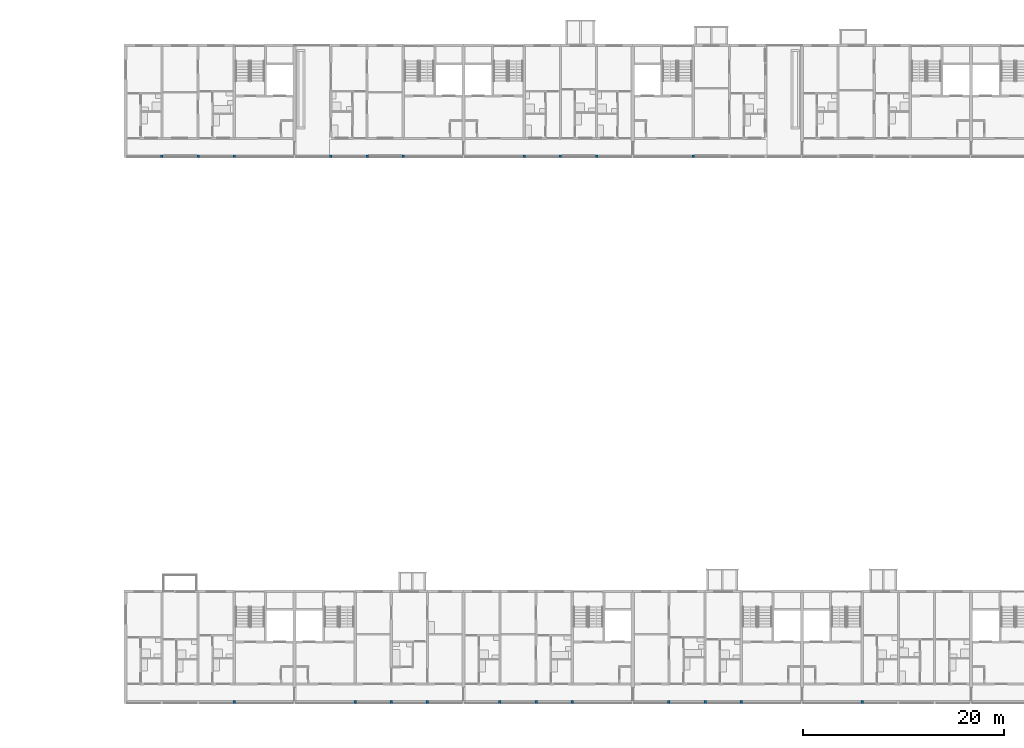
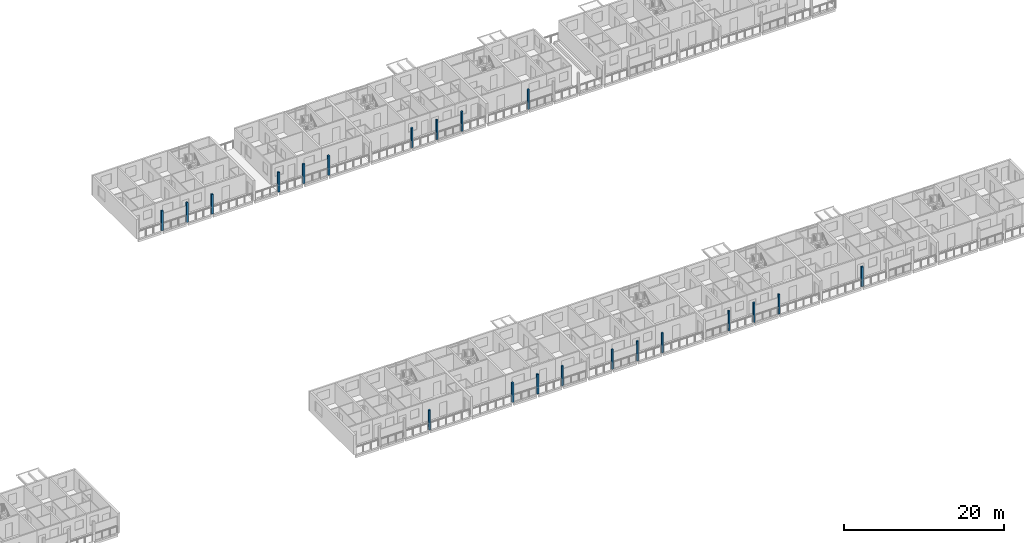
# One storey, part 3 of 94: 21 columns.
"""IFC4 building model written with IfcOpenShell, lengths in metres."""

from ifc_helpers import new_model, si_unit, direction, frame, origin, origin_2d, place, context, subcontext, project, spatial, rectangle, extrude, material, material_profile, profile_set, type_object, element, save


model = new_model("IFC4")

# Units and contexts
model_context = context("Model", 3, precision=1e-05, world=origin(), true_north=direction((0.0, 1.0)))
body_context = subcontext(model_context, "Body", "Model", "MODEL_VIEW")
ifc_project = project(units=[si_unit("LENGTHUNIT", "METRE"), si_unit("AREAUNIT", "SQUARE_METRE"), si_unit("VOLUMEUNIT", "CUBIC_METRE"), si_unit("PLANEANGLEUNIT", "RADIAN"), si_unit("MASSUNIT", "GRAM", prefix="KILO")], contexts=[model_context])

# Site, building, storey
site_placement = place(None, origin())
site = spatial("IfcSite", under=ifc_project, at=site_placement, CompositionType="ELEMENT")
building_placement = place(site_placement, origin())
building = spatial("IfcBuilding", under=site, at=building_placement, Name="Ridgestep Commons", CompositionType="ELEMENT")
storey_placement = place(building_placement, frame((0.0, 0.0, 21.0)))
storey = spatial("IfcBuildingStorey", under=building, at=storey_placement, Name="L07", CompositionType="ELEMENT", Elevation=21.0)

# Columns
ifc_material = material(Name="Precast concrete C40/50", Category="concrete")
ifc_material_profile = material_profile(ifc_material, rectangle(XDim=0.25, YDim=0.25, at=origin_2d()), Name="PC 250x250")
ifc_profile_set = profile_set([ifc_material_profile], Name="Precast concrete C40/50")
column_type = type_object("IfcColumnType", Name="Loggia column 250 x 250", PredefinedType="COLUMN", material=ifc_profile_set)
for number, where, z_axis, x_axis, name in (
    (1, (150.39990234375, 66.125, 0.0), (0.0, 0.0, 1.0), (1.0, 0.0, 0.0), "Loggia column C L07"),
    (2, (154.0, 66.125, 0.0), (0.0, 0.0, 1.0), (1.0, 0.0, 0.0), "Loggia column C L07"),
    (3, (157.60009765625, 66.125, 0.0), (0.0, 0.0, 1.0), (1.0, 0.0, 0.0), "Loggia column C L07"),
    (4, (167.199951171875, 66.125, 0.0), (0.0, 0.0, 1.0), (1.0, 0.0, 0.0), "Loggia column C L07"),
    (5, (170.800048828125, 66.125, 0.0), (0.0, 0.0, 1.0), (1.0, 0.0, 0.0), "Loggia column C L07"),
    (6, (174.39990234375, 66.125, 0.0), (0.0, 0.0, 1.0), (1.0, 0.0, 0.0), "Loggia column C L07"),
    (7, (186.39990234375, 66.125, 0.0), (0.0, 0.0, 1.0), (1.0, 0.0, 0.0), "Loggia column C L07"),
    (8, (190.0, 66.125, 0.0), (0.0, 0.0, 1.0), (1.0, 0.0, 0.0), "Loggia column C L07"),
    (9, (193.60009765625, 66.125, 0.0), (0.0, 0.0, 1.0), (1.0, 0.0, 0.0), "Loggia column C L07"),
    (10, (203.199951171875, 66.125, 0.0), (0.0, 0.0, 1.0), (1.0, 0.0, 0.0), "Loggia column C L07"),
    (11, (157.60009765625, 11.875, 0.0), (0.0, 0.0, 1.0), (1.0, 0.0, 0.0), "Loggia column D L07"),
    (12, (169.60009765625, 11.875, 0.0), (0.0, 0.0, 1.0), (1.0, 0.0, 0.0), "Loggia column D L07"),
    (13, (173.199951171875, 11.875, 0.0), (0.0, 0.0, 1.0), (1.0, 0.0, 0.0), "Loggia column D L07"),
    (14, (176.800048828125, 11.875, 0.0), (0.0, 0.0, 1.0), (1.0, 0.0, 0.0), "Loggia column D L07"),
    (15, (184.0, 11.875, 0.0), (0.0, 0.0, 1.0), (1.0, 0.0, 0.0), "Loggia column D L07"),
    (16, (187.60009765625, 11.875, 0.0), (0.0, 0.0, 1.0), (1.0, 0.0, 0.0), "Loggia column D L07"),
    (17, (191.199951171875, 11.875, 0.0), (0.0, 0.0, 1.0), (1.0, 0.0, 0.0), "Loggia column D L07"),
    (18, (200.800048828125, 11.875, 0.0), (0.0, 0.0, 1.0), (1.0, 0.0, 0.0), "Loggia column D L07"),
    (19, (204.39990234375, 11.875, 0.0), (0.0, 0.0, 1.0), (1.0, 0.0, 0.0), "Loggia column D L07"),
    (20, (208.0, 11.875, 0.0), (0.0, 0.0, 1.0), (1.0, 0.0, 0.0), "Loggia column D L07"),
    (21, (220.0, 11.875, 0.0), (0.0, 0.0, 1.0), (1.0, 0.0, 0.0), "Loggia column D L07"),
):
    element("IfcColumn", number, at=place(storey_placement, frame(where, z_axis=z_axis, x_axis=x_axis)), inside=storey, type_object=column_type, Name=name, PredefinedType="COLUMN", context=body_context, shape_type="SweptSolid", body=[
        extrude(rectangle(XDim=0.25, YDim=0.25, at=origin_2d()), origin(), (0.0, 0.0, 1.0), 3.0),
    ])

save(model, "model.ifc")
